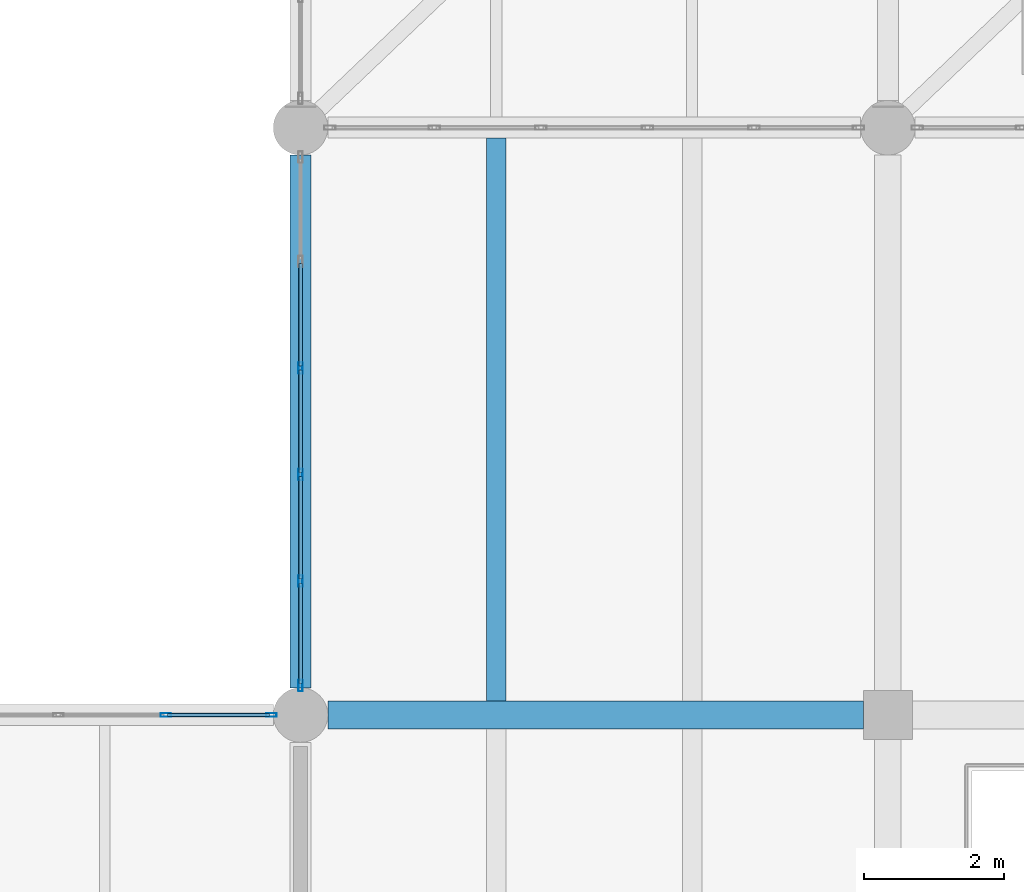
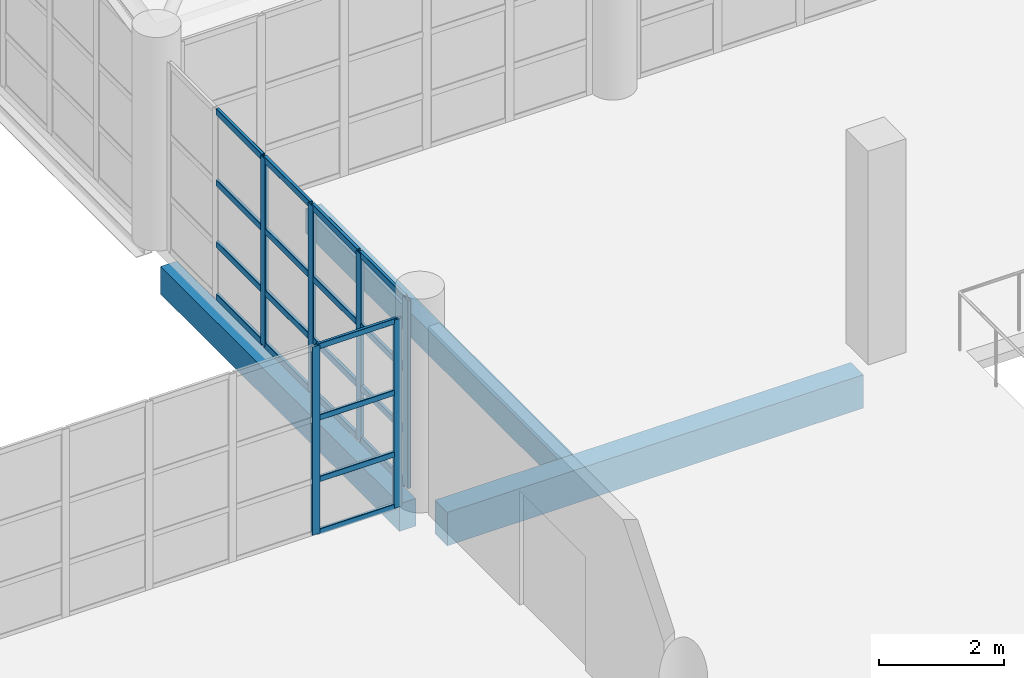
# One storey, part 79 of 177: 26 members, 3 beams, 2 elements without a shape of their own.
"""IFC4 building model written with IfcOpenShell, lengths in metres."""

from ifc_helpers import new_model, si_unit, direction, frame, origin, origin_2d, place, context, subcontext, project, spatial, rectangle, hollow_rectangle, extrude, material, layer, layer_set, material_profile, profile_set, type_object, element, aggregate, save


model = new_model("IFC4")

# Units and contexts
model_context = context("Model", 3, precision=1e-05, world=origin(), true_north=direction((0.0, 1.0)))
body_context = subcontext(model_context, "Body", "Model", "MODEL_VIEW")
ifc_project = project(units=[si_unit("LENGTHUNIT", "METRE"), si_unit("AREAUNIT", "SQUARE_METRE"), si_unit("VOLUMEUNIT", "CUBIC_METRE"), si_unit("PLANEANGLEUNIT", "RADIAN"), si_unit("MASSUNIT", "GRAM", prefix="KILO"), si_unit("THERMODYNAMICTEMPERATUREUNIT", "KELVIN"), si_unit("POWERUNIT", "WATT")], contexts=[model_context])

# Site, building, storey
site_placement = place(None, origin())
site = spatial("IfcSite", under=ifc_project, at=site_placement, CompositionType="ELEMENT")
building_placement = place(site_placement, origin())
building = spatial("IfcBuilding", under=site, at=building_placement, Name="Mavoryth Pier Ferry Terminal", CompositionType="ELEMENT")
storey_placement = place(building_placement, frame((0.0, 0.0, 5.43994140625)))
storey = spatial("IfcBuildingStorey", under=building, at=storey_placement, Name="L01", CompositionType="ELEMENT", Elevation=5.43994140625)

# Beams
ifc_material_1 = material(Name="Concrete C35/45", Category="concrete")
ifc_material_profile_1 = material_profile(ifc_material_1, rectangle(XDim=0.39990234375, YDim=0.64990234375, at=origin_2d()), Name="RC 400x650", Category="concrete")
ifc_profile_set_1 = profile_set([ifc_material_profile_1], Name="Concrete C35/45 - RC 400x650")
beam_type_1 = type_object("IfcBeamType", Name="Girder-RC-400x650", PredefinedType="BEAM", material=ifc_profile_set_1)
beam_1_placement = place(storey_placement, frame((50.7900390625, 97.60009765625, -0.60498046875), z_axis=(1.0, 0.0, 0.0), x_axis=(0.0, 1.0, 0.0)))
element("IfcBeam", 1, at=beam_1_placement, inside=storey, type_object=beam_type_1, Name="Beam B01-BG05-0194", PredefinedType="BEAM", context=body_context, shape_type="SweptSolid", body=[
    extrude(rectangle(XDim=0.39990234375, YDim=0.64990234375, at=origin_2d()), origin(), (0.0, 0.0, 1.0), 7.659912109375),
])
ifc_material_profile_2 = material_profile(ifc_material_1, rectangle(XDim=0.280029296875, YDim=0.47998046875, at=origin_2d()), Name="RC 280x480", Category="concrete")
ifc_profile_set_2 = profile_set([ifc_material_profile_2], Name="Concrete C35/45 - RC 280x480")
beam_type_2 = type_object("IfcBeamType", Name="Joist-RC-280x480", PredefinedType="JOIST", material=ifc_profile_set_2)
beam_2_placement = place(storey_placement, frame((53.199951171875, 97.800048828125, -0.52001953125), z_axis=(0.0, 1.0, 0.0), x_axis=(-1.0, 0.0, 0.0)))
element("IfcBeam", 2, at=beam_2_placement, inside=storey, type_object=beam_type_2, Name="Beam B01-BJ02-0231", PredefinedType="JOIST", context=body_context, shape_type="SweptSolid", body=[
    extrude(rectangle(XDim=0.280029296875, YDim=0.47998046875, at=origin_2d()), origin(), (0.0, 0.0, 1.0), 8.050048828125),
])

# Curtain wall, members
ifc_material_2 = material(Name="Anodised Aluminium and Solar-Control Low-E Glass", Category="aluminium")
ifc_layer_1 = layer(ifc_material_2, 0.1201171875, Name="Anodised Aluminium and Solar-Control Low-E Glass", Category="aluminium")
ifc_layer_set_1 = layer_set([ifc_layer_1], Name="Anodised Aluminium and Solar-Control Low-E Glass - CW-BridgeLink-Mod1400")
curtain_wall_type_1 = type_object("IfcCurtainWallType", Name="CW-BridgeLink-Mod1400", PredefinedType="USERDEFINED", material=ifc_layer_set_1)
curtain_wall_1_placement = place(storey_placement, origin())
curtain_wall_1 = element("IfcCurtainWall", 3, at=curtain_wall_1_placement, inside=storey, type_object=curtain_wall_type_1, Name="Curtain Wall CW-0111-101", ObjectType="UNITISED CURTAIN WALL", PredefinedType="USERDEFINED")
ifc_material_3 = material(Name="Anodised Aluminium EN AW-6063", Category="aluminium")
ifc_material_profile_3 = material_profile(ifc_material_3, hollow_rectangle(XDim=0.054931640625, YDim=0.14990234375, WallThickness=0.00390625, InnerFilletRadius=0.00390625, OuterFilletRadius=0.008056640625, at=origin_2d()), Name="AL-MULL 150x55x4", Category="aluminium")
ifc_profile_set_3 = profile_set([ifc_material_profile_3], Name="Anodised Aluminium EN AW-6063 - AL-MULL 150x55x4")
member_type_1 = type_object("IfcMemberType", Name="Mullion-Alum-150x55", PredefinedType="MULLION", material=ifc_profile_set_3)
member_1_placement = place(storey_placement, frame((48.472900390625, 97.60009765625, 0.0), z_axis=(0.0, 0.0, 1.0), x_axis=(0.0, 1.0, 0.0)))
member_1 = element("IfcMember", 4, at=member_1_placement, type_object=member_type_1, Name="CW08 mullion 5", PredefinedType="MULLION", context=body_context, shape_type="SweptSolid", body=[
    extrude(hollow_rectangle(XDim=0.054931640625, YDim=0.14990234375, WallThickness=0.00390625, InnerFilletRadius=0.00390625, OuterFilletRadius=0.008056640625, at=origin_2d()), origin(), (0.0, 0.0, 1.0), 3.6650390625),
])
member_2_placement = place(storey_placement, frame((49.982421875, 97.60009765625, 0.0), z_axis=(0.0, 0.0, 1.0), x_axis=(0.0, 1.0, 0.0)))
member_2 = element("IfcMember", 5, at=member_2_placement, type_object=member_type_1, Name="CW08 mullion 6", PredefinedType="MULLION", context=body_context, shape_type="SweptSolid", body=[
    extrude(hollow_rectangle(XDim=0.054931640625, YDim=0.14990234375, WallThickness=0.00390625, InnerFilletRadius=0.00390625, OuterFilletRadius=0.008056640625, at=origin_2d()), origin(), (0.0, 0.0, 1.0), 3.6650390625),
])

ifc_layer_2 = layer(ifc_material_2, 0.159912109375, Name="Anodised Aluminium and Solar-Control Low-E Glass", Category="aluminium")
ifc_layer_set_2 = layer_set([ifc_layer_2], Name="Anodised Aluminium and Solar-Control Low-E Glass - CW-Arrivals-Mod1400")
curtain_wall_type_2 = type_object("IfcCurtainWallType", Name="CW-Arrivals-Mod1400", PredefinedType="USERDEFINED", material=ifc_layer_set_2)
curtain_wall_2_placement = place(storey_placement, origin())
curtain_wall_2 = element("IfcCurtainWall", 6, at=curtain_wall_2_placement, inside=storey, type_object=curtain_wall_type_2, Name="Curtain Wall CW-0122-069", ObjectType="UNITISED CURTAIN WALL", PredefinedType="USERDEFINED")
ifc_material_profile_4 = material_profile(ifc_material_3, hollow_rectangle(XDim=0.06005859375, YDim=0.1650390625, WallThickness=0.00390625, InnerFilletRadius=0.00390625, OuterFilletRadius=0.008056640625, at=origin_2d()), Name="AL-MULL 165x60x4", Category="aluminium")
ifc_profile_set_4 = profile_set([ifc_material_profile_4], Name="Anodised Aluminium EN AW-6063 - AL-MULL 165x60x4")
member_type_2 = type_object("IfcMemberType", Name="Mullion-Alum-165x60", PredefinedType="MULLION", material=ifc_profile_set_4)
member_3_placement = place(storey_placement, frame((50.39990234375, 102.56201171875, 0.0), z_axis=(0.0, 0.0, 1.0), x_axis=(1.0, 0.0, 0.0)))
member_3 = element("IfcMember", 7, at=member_3_placement, type_object=member_type_2, Name="CW04 mullion 3", PredefinedType="MULLION", context=body_context, shape_type="SweptSolid", body=[
    extrude(hollow_rectangle(XDim=0.06005859375, YDim=0.1650390625, WallThickness=0.00390625, InnerFilletRadius=0.00390625, OuterFilletRadius=0.008056640625, at=origin_2d()), origin(), (0.0, 0.0, 1.0), 3.66015625),
])
member_4_placement = place(storey_placement, frame((50.39990234375, 101.0380859375, 0.0), z_axis=(0.0, 0.0, 1.0), x_axis=(1.0, 0.0, 0.0)))
member_4 = element("IfcMember", 8, at=member_4_placement, type_object=member_type_2, Name="CW04 mullion 4", PredefinedType="MULLION", context=body_context, shape_type="SweptSolid", body=[
    extrude(hollow_rectangle(XDim=0.06005859375, YDim=0.1650390625, WallThickness=0.00390625, InnerFilletRadius=0.00390625, OuterFilletRadius=0.008056640625, at=origin_2d()), origin(), (0.0, 0.0, 1.0), 3.66015625),
])
member_5_placement = place(storey_placement, frame((50.39990234375, 99.513916015625, 0.0), z_axis=(0.0, 0.0, 1.0), x_axis=(1.0, 0.0, 0.0)))
member_5 = element("IfcMember", 9, at=member_5_placement, type_object=member_type_2, Name="CW04 mullion 5", PredefinedType="MULLION", context=body_context, shape_type="SweptSolid", body=[
    extrude(hollow_rectangle(XDim=0.06005859375, YDim=0.1650390625, WallThickness=0.00390625, InnerFilletRadius=0.00390625, OuterFilletRadius=0.008056640625, at=origin_2d()), origin(), (0.0, 0.0, 1.0), 3.66015625),
])
member_6_placement = place(storey_placement, frame((50.39990234375, 98.02001953125, 0.0), z_axis=(0.0, 0.0, 1.0), x_axis=(1.0, 0.0, 0.0)))
member_6 = element("IfcMember", 10, at=member_6_placement, type_object=member_type_2, Name="CW04 mullion 6", PredefinedType="MULLION", context=body_context, shape_type="SweptSolid", body=[
    extrude(hollow_rectangle(XDim=0.06005859375, YDim=0.1650390625, WallThickness=0.00390625, InnerFilletRadius=0.00390625, OuterFilletRadius=0.008056640625, at=origin_2d()), origin(), (0.0, 0.0, 1.0), 3.66015625),
])

# Beam
ifc_material_profile_5 = material_profile(ifc_material_1, rectangle(XDim=0.300048828125, YDim=0.5400390625, at=origin_2d()), Name="RC 300x540", Category="concrete")
ifc_profile_set_5 = profile_set([ifc_material_profile_5], Name="Concrete C35/45 - RC 300x540")
beam_type_3 = type_object("IfcBeamType", Name="Spandrel-RC-300x540", PredefinedType="SPANDREL", material=ifc_profile_set_5)
beam_3_placement = place(storey_placement, frame((50.39990234375, 97.989990234375, -0.550048828125), z_axis=(0.0, 1.0, 0.0), x_axis=(-1.0, 0.0, 0.0)))
element("IfcBeam", 11, at=beam_3_placement, inside=storey, type_object=beam_type_3, Name="Beam B01-SP02-0206", PredefinedType="SPANDREL", context=body_context, shape_type="SweptSolid", body=[
    extrude(rectangle(XDim=0.300048828125, YDim=0.5400390625, at=origin_2d()), origin(), (0.0, 0.0, 1.0), 7.6201171875),
])

# Member
ifc_material_profile_6 = material_profile(ifc_material_3, hollow_rectangle(XDim=0.054931640625, YDim=0.110107421875, WallThickness=0.00390625, InnerFilletRadius=0.00390625, OuterFilletRadius=0.008056640625, at=origin_2d()), Name="AL-TRAN 110x55x4", Category="aluminium")
ifc_profile_set_6 = profile_set([ifc_material_profile_6], Name="Anodised Aluminium EN AW-6063 - AL-TRAN 110x55x4")
member_type_3 = type_object("IfcMemberType", Name="Transom-Alum-110x55", PredefinedType="USERDEFINED", material=ifc_profile_set_6)
member_7_placement = place(storey_placement, frame((48.50048828125, 97.60009765625, 0.027587890625), z_axis=(1.0, 0.0, 0.0), x_axis=(0.0, 1.0, 0.0)))
member_7 = element("IfcMember", 12, at=member_7_placement, type_object=member_type_3, Name="CW08 transom 5.1", ObjectType="TRANSOM", PredefinedType="USERDEFINED", context=body_context, shape_type="SweptSolid", body=[
    extrude(hollow_rectangle(XDim=0.054931640625, YDim=0.110107421875, WallThickness=0.00390625, InnerFilletRadius=0.00390625, OuterFilletRadius=0.008056640625, at=origin_2d()), origin(), (0.0, 0.0, 1.0), 1.45458984375),
])

member_8_placement = place(storey_placement, frame((48.50048828125, 97.60009765625, 1.050048828125), z_axis=(1.0, 0.0, 0.0), x_axis=(0.0, 1.0, 0.0)))
member_8 = element("IfcMember", 13, at=member_8_placement, type_object=member_type_3, Name="CW08 transom 5.2", ObjectType="TRANSOM", PredefinedType="USERDEFINED", context=body_context, shape_type="SweptSolid", body=[
    extrude(hollow_rectangle(XDim=0.054931640625, YDim=0.110107421875, WallThickness=0.00390625, InnerFilletRadius=0.00390625, OuterFilletRadius=0.008056640625, at=origin_2d()), origin(), (0.0, 0.0, 1.0), 1.45458984375),
])

member_9_placement = place(storey_placement, frame((48.50048828125, 97.60009765625, 2.25), z_axis=(1.0, 0.0, 0.0), x_axis=(0.0, 1.0, 0.0)))
member_9 = element("IfcMember", 14, at=member_9_placement, type_object=member_type_3, Name="CW08 transom 5.3", ObjectType="TRANSOM", PredefinedType="USERDEFINED", context=body_context, shape_type="SweptSolid", body=[
    extrude(hollow_rectangle(XDim=0.054931640625, YDim=0.110107421875, WallThickness=0.00390625, InnerFilletRadius=0.00390625, OuterFilletRadius=0.008056640625, at=origin_2d()), origin(), (0.0, 0.0, 1.0), 1.45458984375),
])

member_10_placement = place(storey_placement, frame((48.50048828125, 97.60009765625, 3.637451171875), z_axis=(1.0, 0.0, 0.0), x_axis=(0.0, 1.0, 0.0)))
member_10 = element("IfcMember", 15, at=member_10_placement, type_object=member_type_3, Name="CW08 transom 5.4", ObjectType="TRANSOM", PredefinedType="USERDEFINED", context=body_context, shape_type="SweptSolid", body=[
    extrude(hollow_rectangle(XDim=0.054931640625, YDim=0.110107421875, WallThickness=0.00390625, InnerFilletRadius=0.00390625, OuterFilletRadius=0.008056640625, at=origin_2d()), origin(), (0.0, 0.0, 1.0), 1.45458984375),
])

aggregate(curtain_wall_1, [member_1, member_2, member_7, member_8, member_9, member_10])

ifc_material_profile_7 = material_profile(ifc_material_3, hollow_rectangle(XDim=0.06005859375, YDim=0.125, WallThickness=0.00390625, InnerFilletRadius=0.00390625, OuterFilletRadius=0.008056640625, at=origin_2d()), Name="AL-TRAN 125x60x4", Category="aluminium")
ifc_profile_set_7 = profile_set([ifc_material_profile_7], Name="Anodised Aluminium EN AW-6063 - AL-TRAN 125x60x4")
member_type_4 = type_object("IfcMemberType", Name="Transom-Alum-125x60", PredefinedType="USERDEFINED", material=ifc_profile_set_7)
member_11_placement = place(storey_placement, frame((50.39990234375, 104.055908203125, 0.030029296875), z_axis=(0.0, -1.0, 0.0), x_axis=(1.0, 0.0, 0.0)))
member_11 = element("IfcMember", 16, at=member_11_placement, type_object=member_type_4, Name="CW04 transom 2.1", ObjectType="TRANSOM", PredefinedType="USERDEFINED", context=body_context, shape_type="SweptSolid", body=[
    extrude(hollow_rectangle(XDim=0.06005859375, YDim=0.125, WallThickness=0.00390625, InnerFilletRadius=0.00390625, OuterFilletRadius=0.008056640625, at=origin_2d()), origin(), (0.0, 0.0, 1.0), 1.4638671875),
])

member_12_placement = place(storey_placement, frame((50.39990234375, 104.055908203125, 1.050048828125), z_axis=(0.0, -1.0, 0.0), x_axis=(1.0, 0.0, 0.0)))
member_12 = element("IfcMember", 17, at=member_12_placement, type_object=member_type_4, Name="CW04 transom 2.2", ObjectType="TRANSOM", PredefinedType="USERDEFINED", context=body_context, shape_type="SweptSolid", body=[
    extrude(hollow_rectangle(XDim=0.06005859375, YDim=0.125, WallThickness=0.00390625, InnerFilletRadius=0.00390625, OuterFilletRadius=0.008056640625, at=origin_2d()), origin(), (0.0, 0.0, 1.0), 1.4638671875),
])

member_13_placement = place(storey_placement, frame((50.39990234375, 104.055908203125, 2.25), z_axis=(0.0, -1.0, 0.0), x_axis=(1.0, 0.0, 0.0)))
member_13 = element("IfcMember", 18, at=member_13_placement, type_object=member_type_4, Name="CW04 transom 2.3", ObjectType="TRANSOM", PredefinedType="USERDEFINED", context=body_context, shape_type="SweptSolid", body=[
    extrude(hollow_rectangle(XDim=0.06005859375, YDim=0.125, WallThickness=0.00390625, InnerFilletRadius=0.00390625, OuterFilletRadius=0.008056640625, at=origin_2d()), origin(), (0.0, 0.0, 1.0), 1.4638671875),
])

member_14_placement = place(storey_placement, frame((50.39990234375, 104.055908203125, 3.630126953125), z_axis=(0.0, -1.0, 0.0), x_axis=(1.0, 0.0, 0.0)))
member_14 = element("IfcMember", 19, at=member_14_placement, type_object=member_type_4, Name="CW04 transom 2.4", ObjectType="TRANSOM", PredefinedType="USERDEFINED", context=body_context, shape_type="SweptSolid", body=[
    extrude(hollow_rectangle(XDim=0.06005859375, YDim=0.125, WallThickness=0.00390625, InnerFilletRadius=0.00390625, OuterFilletRadius=0.008056640625, at=origin_2d()), origin(), (0.0, 0.0, 1.0), 1.4638671875),
])

member_15_placement = place(storey_placement, frame((50.39990234375, 102.531982421875, 0.030029296875), z_axis=(0.0, -1.0, 0.0), x_axis=(1.0, 0.0, 0.0)))
member_15 = element("IfcMember", 20, at=member_15_placement, type_object=member_type_4, Name="CW04 transom 3.1", ObjectType="TRANSOM", PredefinedType="USERDEFINED", context=body_context, shape_type="SweptSolid", body=[
    extrude(hollow_rectangle(XDim=0.06005859375, YDim=0.125, WallThickness=0.00390625, InnerFilletRadius=0.00390625, OuterFilletRadius=0.008056640625, at=origin_2d()), origin(), (0.0, 0.0, 1.0), 1.4638671875),
])

member_16_placement = place(storey_placement, frame((50.39990234375, 102.531982421875, 1.050048828125), z_axis=(0.0, -1.0, 0.0), x_axis=(1.0, 0.0, 0.0)))
member_16 = element("IfcMember", 21, at=member_16_placement, type_object=member_type_4, Name="CW04 transom 3.2", ObjectType="TRANSOM", PredefinedType="USERDEFINED", context=body_context, shape_type="SweptSolid", body=[
    extrude(hollow_rectangle(XDim=0.06005859375, YDim=0.125, WallThickness=0.00390625, InnerFilletRadius=0.00390625, OuterFilletRadius=0.008056640625, at=origin_2d()), origin(), (0.0, 0.0, 1.0), 1.4638671875),
])

member_17_placement = place(storey_placement, frame((50.39990234375, 102.531982421875, 2.25), z_axis=(0.0, -1.0, 0.0), x_axis=(1.0, 0.0, 0.0)))
member_17 = element("IfcMember", 22, at=member_17_placement, type_object=member_type_4, Name="CW04 transom 3.3", ObjectType="TRANSOM", PredefinedType="USERDEFINED", context=body_context, shape_type="SweptSolid", body=[
    extrude(hollow_rectangle(XDim=0.06005859375, YDim=0.125, WallThickness=0.00390625, InnerFilletRadius=0.00390625, OuterFilletRadius=0.008056640625, at=origin_2d()), origin(), (0.0, 0.0, 1.0), 1.4638671875),
])

member_18_placement = place(storey_placement, frame((50.39990234375, 102.531982421875, 3.630126953125), z_axis=(0.0, -1.0, 0.0), x_axis=(1.0, 0.0, 0.0)))
member_18 = element("IfcMember", 23, at=member_18_placement, type_object=member_type_4, Name="CW04 transom 3.4", ObjectType="TRANSOM", PredefinedType="USERDEFINED", context=body_context, shape_type="SweptSolid", body=[
    extrude(hollow_rectangle(XDim=0.06005859375, YDim=0.125, WallThickness=0.00390625, InnerFilletRadius=0.00390625, OuterFilletRadius=0.008056640625, at=origin_2d()), origin(), (0.0, 0.0, 1.0), 1.4638671875),
])

member_19_placement = place(storey_placement, frame((50.39990234375, 101.008056640625, 0.030029296875), z_axis=(0.0, -1.0, 0.0), x_axis=(1.0, 0.0, 0.0)))
member_19 = element("IfcMember", 24, at=member_19_placement, type_object=member_type_4, Name="CW04 transom 4.1", ObjectType="TRANSOM", PredefinedType="USERDEFINED", context=body_context, shape_type="SweptSolid", body=[
    extrude(hollow_rectangle(XDim=0.06005859375, YDim=0.125, WallThickness=0.00390625, InnerFilletRadius=0.00390625, OuterFilletRadius=0.008056640625, at=origin_2d()), origin(), (0.0, 0.0, 1.0), 1.464111328125),
])

member_20_placement = place(storey_placement, frame((50.39990234375, 101.008056640625, 1.050048828125), z_axis=(0.0, -1.0, 0.0), x_axis=(1.0, 0.0, 0.0)))
member_20 = element("IfcMember", 25, at=member_20_placement, type_object=member_type_4, Name="CW04 transom 4.2", ObjectType="TRANSOM", PredefinedType="USERDEFINED", context=body_context, shape_type="SweptSolid", body=[
    extrude(hollow_rectangle(XDim=0.06005859375, YDim=0.125, WallThickness=0.00390625, InnerFilletRadius=0.00390625, OuterFilletRadius=0.008056640625, at=origin_2d()), origin(), (0.0, 0.0, 1.0), 1.464111328125),
])

member_21_placement = place(storey_placement, frame((50.39990234375, 101.008056640625, 2.25), z_axis=(0.0, -1.0, 0.0), x_axis=(1.0, 0.0, 0.0)))
member_21 = element("IfcMember", 26, at=member_21_placement, type_object=member_type_4, Name="CW04 transom 4.3", ObjectType="TRANSOM", PredefinedType="USERDEFINED", context=body_context, shape_type="SweptSolid", body=[
    extrude(hollow_rectangle(XDim=0.06005859375, YDim=0.125, WallThickness=0.00390625, InnerFilletRadius=0.00390625, OuterFilletRadius=0.008056640625, at=origin_2d()), origin(), (0.0, 0.0, 1.0), 1.464111328125),
])

member_22_placement = place(storey_placement, frame((50.39990234375, 101.008056640625, 3.630126953125), z_axis=(0.0, -1.0, 0.0), x_axis=(1.0, 0.0, 0.0)))
member_22 = element("IfcMember", 27, at=member_22_placement, type_object=member_type_4, Name="CW04 transom 4.4", ObjectType="TRANSOM", PredefinedType="USERDEFINED", context=body_context, shape_type="SweptSolid", body=[
    extrude(hollow_rectangle(XDim=0.06005859375, YDim=0.125, WallThickness=0.00390625, InnerFilletRadius=0.00390625, OuterFilletRadius=0.008056640625, at=origin_2d()), origin(), (0.0, 0.0, 1.0), 1.464111328125),
])

member_23_placement = place(storey_placement, frame((50.39990234375, 99.48388671875, 0.030029296875), z_axis=(0.0, -1.0, 0.0), x_axis=(1.0, 0.0, 0.0)))
member_23 = element("IfcMember", 28, at=member_23_placement, type_object=member_type_4, Name="CW04 transom 5.1", ObjectType="TRANSOM", PredefinedType="USERDEFINED", context=body_context, shape_type="SweptSolid", body=[
    extrude(hollow_rectangle(XDim=0.06005859375, YDim=0.125, WallThickness=0.00390625, InnerFilletRadius=0.00390625, OuterFilletRadius=0.008056640625, at=origin_2d()), origin(), (0.0, 0.0, 1.0), 1.433837890625),
])

member_24_placement = place(storey_placement, frame((50.39990234375, 99.48388671875, 1.050048828125), z_axis=(0.0, -1.0, 0.0), x_axis=(1.0, 0.0, 0.0)))
member_24 = element("IfcMember", 29, at=member_24_placement, type_object=member_type_4, Name="CW04 transom 5.2", ObjectType="TRANSOM", PredefinedType="USERDEFINED", context=body_context, shape_type="SweptSolid", body=[
    extrude(hollow_rectangle(XDim=0.06005859375, YDim=0.125, WallThickness=0.00390625, InnerFilletRadius=0.00390625, OuterFilletRadius=0.008056640625, at=origin_2d()), origin(), (0.0, 0.0, 1.0), 1.433837890625),
])

member_25_placement = place(storey_placement, frame((50.39990234375, 99.48388671875, 2.25), z_axis=(0.0, -1.0, 0.0), x_axis=(1.0, 0.0, 0.0)))
member_25 = element("IfcMember", 30, at=member_25_placement, type_object=member_type_4, Name="CW04 transom 5.3", ObjectType="TRANSOM", PredefinedType="USERDEFINED", context=body_context, shape_type="SweptSolid", body=[
    extrude(hollow_rectangle(XDim=0.06005859375, YDim=0.125, WallThickness=0.00390625, InnerFilletRadius=0.00390625, OuterFilletRadius=0.008056640625, at=origin_2d()), origin(), (0.0, 0.0, 1.0), 1.433837890625),
])

member_26_placement = place(storey_placement, frame((50.39990234375, 99.48388671875, 3.630126953125), z_axis=(0.0, -1.0, 0.0), x_axis=(1.0, 0.0, 0.0)))
member_26 = element("IfcMember", 31, at=member_26_placement, type_object=member_type_4, Name="CW04 transom 5.4", ObjectType="TRANSOM", PredefinedType="USERDEFINED", context=body_context, shape_type="SweptSolid", body=[
    extrude(hollow_rectangle(XDim=0.06005859375, YDim=0.125, WallThickness=0.00390625, InnerFilletRadius=0.00390625, OuterFilletRadius=0.008056640625, at=origin_2d()), origin(), (0.0, 0.0, 1.0), 1.433837890625),
])

aggregate(curtain_wall_2, [member_3, member_4, member_5, member_6, member_11, member_12, member_13, member_14, member_15, member_16, member_17, member_18, member_19, member_20, member_21, member_22, member_23, member_24, member_25, member_26])

save(model, "model.ifc")
